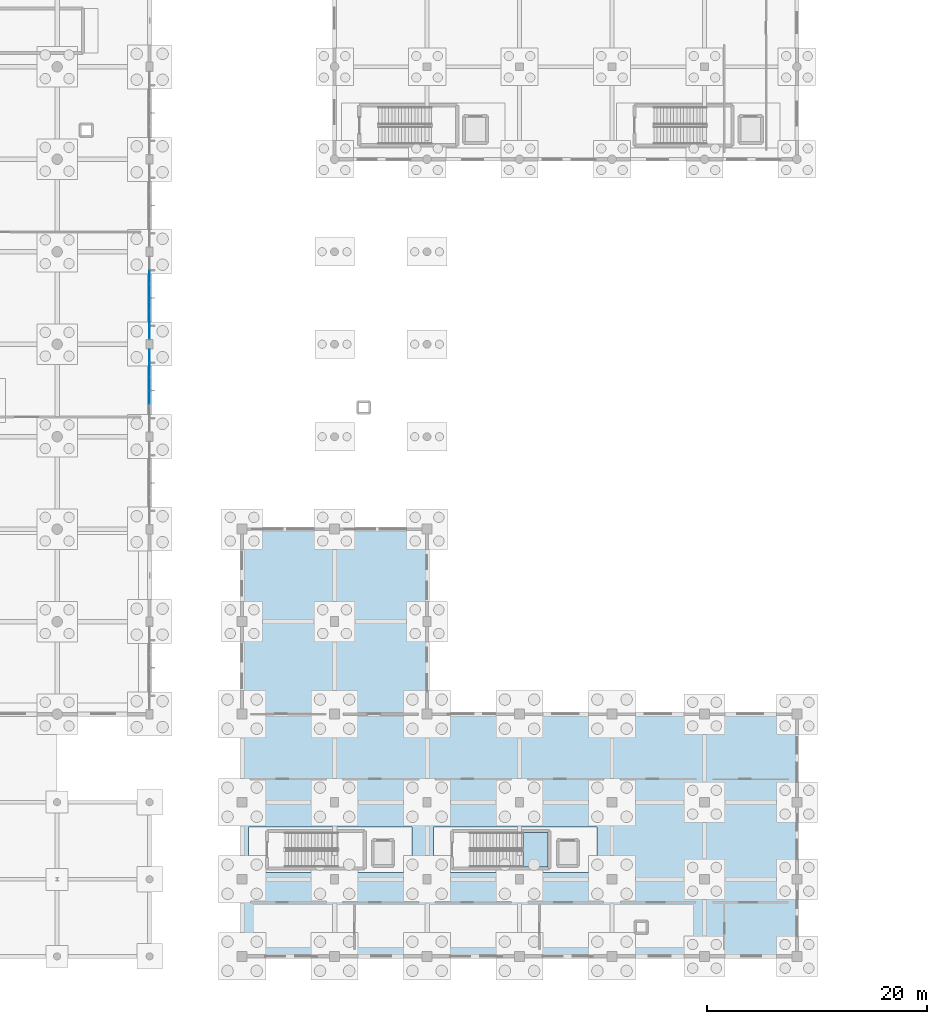
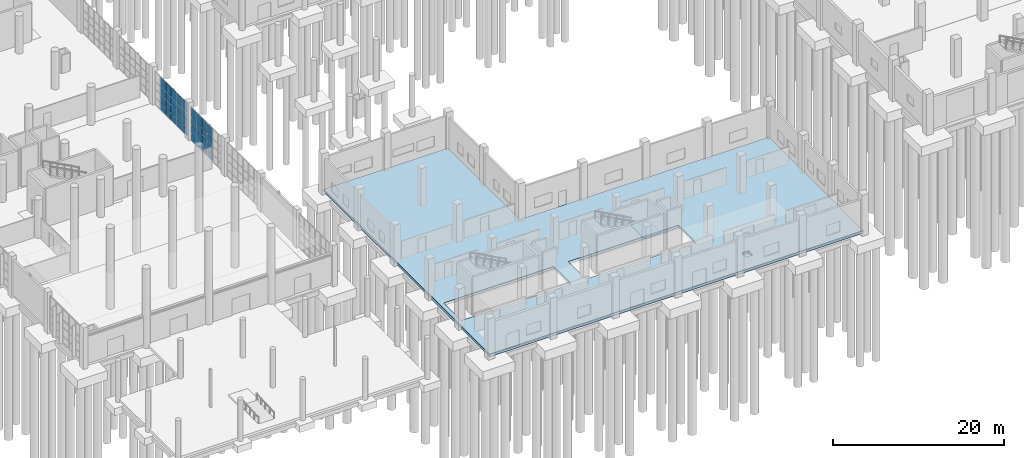
# One storey, part 40 of 83: 36 plates, 2 slabs, 3 elements without a shape of their own.
"""IFC4 building model written with IfcOpenShell, lengths in metres."""

from ifc_helpers import new_model, si_unit, direction, frame, origin, origin_2d, place, context, subcontext, project, spatial, polyline, rectangle, outline, extrude, material, layer, layer_set, type_object, element, aggregate, save


model = new_model("IFC4")

# Units and contexts
model_context = context("Model", 3, precision=1e-05, world=origin(), true_north=direction((0.0, 1.0)))
body_context = subcontext(model_context, "Body", "Model", "MODEL_VIEW")
ifc_project = project(units=[si_unit("LENGTHUNIT", "METRE"), si_unit("AREAUNIT", "SQUARE_METRE"), si_unit("VOLUMEUNIT", "CUBIC_METRE"), si_unit("PLANEANGLEUNIT", "RADIAN"), si_unit("MASSUNIT", "GRAM", prefix="KILO"), si_unit("THERMODYNAMICTEMPERATUREUNIT", "KELVIN"), si_unit("POWERUNIT", "WATT")], contexts=[model_context])

# Site, building, storey
site_placement = place(None, origin())
site = spatial("IfcSite", under=ifc_project, at=site_placement, CompositionType="ELEMENT")
building_placement = place(site_placement, origin())
building = spatial("IfcBuilding", under=site, at=building_placement, Name="Mavoryth Pier Ferry Terminal", CompositionType="ELEMENT")
storey_placement = place(building_placement, origin())
storey = spatial("IfcBuildingStorey", under=building, at=storey_placement, Name="L00", CompositionType="ELEMENT", Elevation=0.0)

# Curtain wall, plates
ifc_material_1 = material(Name="Anodised Aluminium and Solar-Control Low-E Glass", Category="aluminium")
ifc_layer_1 = layer(ifc_material_1, 0.199951171875, Name="Anodised Aluminium and Solar-Control Low-E Glass", Category="aluminium")
ifc_layer_set_1 = layer_set([ifc_layer_1], Name="Anodised Aluminium and Solar-Control Low-E Glass - CW-Concourse-Mod1200")
curtain_wall_type = type_object("IfcCurtainWallType", Name="CW-Concourse-Mod1200", PredefinedType="USERDEFINED", material=ifc_layer_set_1)
curtain_wall_1_placement = place(storey_placement, origin())
curtain_wall_1 = element("IfcCurtainWall", 1, at=curtain_wall_1_placement, inside=storey, type_object=curtain_wall_type, Name="Curtain Wall CW-0022-006", ObjectType="UNITISED CURTAIN WALL", PredefinedType="USERDEFINED")
ifc_material_2 = material(Name="Solar-Control Low-E Laminated Double Glazing", Category="glass")
ifc_layer_2 = layer(ifc_material_2, 0.02392578125, Name="Solar-Control Low-E Laminated Double Glazing", Category="glass")
ifc_layer_set_2 = layer_set([ifc_layer_2], Name="Solar-Control Low-E Laminated Double Glazing - Panel-LowE-DGU-24")
plate_type = type_object("IfcPlateType", Name="Panel-LowE-DGU-24", PredefinedType="CURTAIN_PANEL", material=ifc_layer_set_2)
plate_1_placement = place(storey_placement, frame((33.60009765625, 50.770751953125, 0.06005859375), z_axis=(0.0, 0.0, 1.0), x_axis=(0.0, 1.0, 0.0)))
plate_1 = element("IfcPlate", 2, at=plate_1_placement, type_object=plate_type, Name="CW02 panel 3.1", PredefinedType="CURTAIN_PANEL", context=body_context, shape_type="SweptSolid", body=[
    extrude(rectangle(XDim=1.1982421875, YDim=0.02392578125, at=origin_2d()), origin(), (0.0, 0.0, 1.0), 0.9599609375),
])
plate_2_placement = place(storey_placement, frame((33.60009765625, 50.770751953125, 1.080078125), z_axis=(0.0, 0.0, 1.0), x_axis=(0.0, 1.0, 0.0)))
plate_2 = element("IfcPlate", 3, at=plate_2_placement, type_object=plate_type, Name="CW02 panel 3.2", PredefinedType="CURTAIN_PANEL", context=body_context, shape_type="SweptSolid", body=[
    extrude(rectangle(XDim=1.1982421875, YDim=0.02392578125, at=origin_2d()), origin(), (0.0, 0.0, 1.0), 1.139892578125),
])
plate_3_placement = place(storey_placement, frame((33.60009765625, 50.770751953125, 2.27978515625), z_axis=(0.0, 0.0, 1.0), x_axis=(0.0, 1.0, 0.0)))
plate_3 = element("IfcPlate", 4, at=plate_3_placement, type_object=plate_type, Name="CW02 panel 3.3", PredefinedType="CURTAIN_PANEL", context=body_context, shape_type="SweptSolid", body=[
    extrude(rectangle(XDim=1.1982421875, YDim=0.02392578125, at=origin_2d()), origin(), (0.0, 0.0, 1.0), 0.989990234375),
])
plate_4_placement = place(storey_placement, frame((33.60009765625, 50.770751953125, 3.330078125), z_axis=(0.0, 0.0, 1.0), x_axis=(0.0, 1.0, 0.0)))
plate_4 = element("IfcPlate", 5, at=plate_4_placement, type_object=plate_type, Name="CW02 panel 3.4", PredefinedType="CURTAIN_PANEL", context=body_context, shape_type="SweptSolid", body=[
    extrude(rectangle(XDim=1.1982421875, YDim=0.02392578125, at=origin_2d()), origin(), (0.0, 0.0, 1.0), 1.405029296875),
])
plate_5_placement = place(storey_placement, frame((33.60009765625, 52.029052734375, 0.06005859375), z_axis=(0.0, 0.0, 1.0), x_axis=(0.0, 1.0, 0.0)))
plate_5 = element("IfcPlate", 6, at=plate_5_placement, type_object=plate_type, Name="CW02 panel 4.1", PredefinedType="CURTAIN_PANEL", context=body_context, shape_type="SweptSolid", body=[
    extrude(rectangle(XDim=1.1982421875, YDim=0.02392578125, at=origin_2d()), origin(), (0.0, 0.0, 1.0), 0.9599609375),
])
plate_6_placement = place(storey_placement, frame((33.60009765625, 52.029052734375, 1.080078125), z_axis=(0.0, 0.0, 1.0), x_axis=(0.0, 1.0, 0.0)))
plate_6 = element("IfcPlate", 7, at=plate_6_placement, type_object=plate_type, Name="CW02 panel 4.2", PredefinedType="CURTAIN_PANEL", context=body_context, shape_type="SweptSolid", body=[
    extrude(rectangle(XDim=1.1982421875, YDim=0.02392578125, at=origin_2d()), origin(), (0.0, 0.0, 1.0), 1.139892578125),
])
plate_7_placement = place(storey_placement, frame((33.60009765625, 52.029052734375, 2.27978515625), z_axis=(0.0, 0.0, 1.0), x_axis=(0.0, 1.0, 0.0)))
plate_7 = element("IfcPlate", 8, at=plate_7_placement, type_object=plate_type, Name="CW02 panel 4.3", PredefinedType="CURTAIN_PANEL", context=body_context, shape_type="SweptSolid", body=[
    extrude(rectangle(XDim=1.1982421875, YDim=0.02392578125, at=origin_2d()), origin(), (0.0, 0.0, 1.0), 0.989990234375),
])
plate_8_placement = place(storey_placement, frame((33.60009765625, 52.029052734375, 3.330078125), z_axis=(0.0, 0.0, 1.0), x_axis=(0.0, 1.0, 0.0)))
plate_8 = element("IfcPlate", 9, at=plate_8_placement, type_object=plate_type, Name="CW02 panel 4.4", PredefinedType="CURTAIN_PANEL", context=body_context, shape_type="SweptSolid", body=[
    extrude(rectangle(XDim=1.1982421875, YDim=0.02392578125, at=origin_2d()), origin(), (0.0, 0.0, 1.0), 1.405029296875),
])
plate_9_placement = place(storey_placement, frame((33.60009765625, 53.28759765625, 0.06005859375), z_axis=(0.0, 0.0, 1.0), x_axis=(0.0, 1.0, 0.0)))
plate_9 = element("IfcPlate", 10, at=plate_9_placement, type_object=plate_type, Name="CW02 panel 5.1", PredefinedType="CURTAIN_PANEL", context=body_context, shape_type="SweptSolid", body=[
    extrude(rectangle(XDim=1.1982421875, YDim=0.02392578125, at=origin_2d()), origin(), (0.0, 0.0, 1.0), 0.9599609375),
])
plate_10_placement = place(storey_placement, frame((33.60009765625, 53.28759765625, 1.080078125), z_axis=(0.0, 0.0, 1.0), x_axis=(0.0, 1.0, 0.0)))
plate_10 = element("IfcPlate", 11, at=plate_10_placement, type_object=plate_type, Name="CW02 panel 5.2", PredefinedType="CURTAIN_PANEL", context=body_context, shape_type="SweptSolid", body=[
    extrude(rectangle(XDim=1.1982421875, YDim=0.02392578125, at=origin_2d()), origin(), (0.0, 0.0, 1.0), 1.139892578125),
])
plate_11_placement = place(storey_placement, frame((33.60009765625, 53.28759765625, 2.27978515625), z_axis=(0.0, 0.0, 1.0), x_axis=(0.0, 1.0, 0.0)))
plate_11 = element("IfcPlate", 12, at=plate_11_placement, type_object=plate_type, Name="CW02 panel 5.3", PredefinedType="CURTAIN_PANEL", context=body_context, shape_type="SweptSolid", body=[
    extrude(rectangle(XDim=1.1982421875, YDim=0.02392578125, at=origin_2d()), origin(), (0.0, 0.0, 1.0), 0.989990234375),
])
plate_12_placement = place(storey_placement, frame((33.60009765625, 53.28759765625, 3.330078125), z_axis=(0.0, 0.0, 1.0), x_axis=(0.0, 1.0, 0.0)))
plate_12 = element("IfcPlate", 13, at=plate_12_placement, type_object=plate_type, Name="CW02 panel 5.4", PredefinedType="CURTAIN_PANEL", context=body_context, shape_type="SweptSolid", body=[
    extrude(rectangle(XDim=1.1982421875, YDim=0.02392578125, at=origin_2d()), origin(), (0.0, 0.0, 1.0), 1.405029296875),
])
plate_13_placement = place(storey_placement, frame((33.60009765625, 54.53076171875, 0.06005859375), z_axis=(0.0, 0.0, 1.0), x_axis=(0.0, 1.0, 0.0)))
plate_13 = element("IfcPlate", 14, at=plate_13_placement, type_object=plate_type, Name="CW02 panel 6.1", PredefinedType="CURTAIN_PANEL", context=body_context, shape_type="SweptSolid", body=[
    extrude(rectangle(XDim=1.168212890625, YDim=0.02392578125, at=origin_2d()), origin(), (0.0, 0.0, 1.0), 0.9599609375),
])
plate_14_placement = place(storey_placement, frame((33.60009765625, 54.53076171875, 1.080078125), z_axis=(0.0, 0.0, 1.0), x_axis=(0.0, 1.0, 0.0)))
plate_14 = element("IfcPlate", 15, at=plate_14_placement, type_object=plate_type, Name="CW02 panel 6.2", PredefinedType="CURTAIN_PANEL", context=body_context, shape_type="SweptSolid", body=[
    extrude(rectangle(XDim=1.168212890625, YDim=0.02392578125, at=origin_2d()), origin(), (0.0, 0.0, 1.0), 1.139892578125),
])
plate_15_placement = place(storey_placement, frame((33.60009765625, 54.53076171875, 2.27978515625), z_axis=(0.0, 0.0, 1.0), x_axis=(0.0, 1.0, 0.0)))
plate_15 = element("IfcPlate", 16, at=plate_15_placement, type_object=plate_type, Name="CW02 panel 6.3", PredefinedType="CURTAIN_PANEL", context=body_context, shape_type="SweptSolid", body=[
    extrude(rectangle(XDim=1.168212890625, YDim=0.02392578125, at=origin_2d()), origin(), (0.0, 0.0, 1.0), 0.989990234375),
])
plate_16_placement = place(storey_placement, frame((33.60009765625, 54.53076171875, 3.330078125), z_axis=(0.0, 0.0, 1.0), x_axis=(0.0, 1.0, 0.0)))
plate_16 = element("IfcPlate", 17, at=plate_16_placement, type_object=plate_type, Name="CW02 panel 6.4", PredefinedType="CURTAIN_PANEL", context=body_context, shape_type="SweptSolid", body=[
    extrude(rectangle(XDim=1.168212890625, YDim=0.02392578125, at=origin_2d()), origin(), (0.0, 0.0, 1.0), 1.405029296875),
])
aggregate(curtain_wall_1, [plate_1, plate_2, plate_3, plate_4, plate_5, plate_6, plate_7, plate_8, plate_9, plate_10, plate_11, plate_12, plate_13, plate_14, plate_15, plate_16])

curtain_wall_2_placement = place(storey_placement, origin())
curtain_wall_2 = element("IfcCurtainWall", 18, at=curtain_wall_2_placement, inside=storey, type_object=curtain_wall_type, Name="Curtain Wall CW-0022-010", ObjectType="UNITISED CURTAIN WALL", PredefinedType="USERDEFINED")
plate_17_placement = place(storey_placement, frame((33.60009765625, 56.669189453125, 0.06005859375), z_axis=(0.0, 0.0, 1.0), x_axis=(0.0, 1.0, 0.0)))
plate_17 = element("IfcPlate", 19, at=plate_17_placement, type_object=plate_type, Name="CW02 panel 1.1", PredefinedType="CURTAIN_PANEL", context=body_context, shape_type="SweptSolid", body=[
    extrude(rectangle(XDim=1.168212890625, YDim=0.02392578125, at=origin_2d()), origin(), (0.0, 0.0, 1.0), 0.9599609375),
])
plate_18_placement = place(storey_placement, frame((33.60009765625, 56.669189453125, 1.080078125), z_axis=(0.0, 0.0, 1.0), x_axis=(0.0, 1.0, 0.0)))
plate_18 = element("IfcPlate", 20, at=plate_18_placement, type_object=plate_type, Name="CW02 panel 1.2", PredefinedType="CURTAIN_PANEL", context=body_context, shape_type="SweptSolid", body=[
    extrude(rectangle(XDim=1.168212890625, YDim=0.02392578125, at=origin_2d()), origin(), (0.0, 0.0, 1.0), 1.139892578125),
])
plate_19_placement = place(storey_placement, frame((33.60009765625, 56.669189453125, 2.27978515625), z_axis=(0.0, 0.0, 1.0), x_axis=(0.0, 1.0, 0.0)))
plate_19 = element("IfcPlate", 21, at=plate_19_placement, type_object=plate_type, Name="CW02 panel 1.3", PredefinedType="CURTAIN_PANEL", context=body_context, shape_type="SweptSolid", body=[
    extrude(rectangle(XDim=1.168212890625, YDim=0.02392578125, at=origin_2d()), origin(), (0.0, 0.0, 1.0), 0.989990234375),
])
plate_20_placement = place(storey_placement, frame((33.60009765625, 56.669189453125, 3.330078125), z_axis=(0.0, 0.0, 1.0), x_axis=(0.0, 1.0, 0.0)))
plate_20 = element("IfcPlate", 22, at=plate_20_placement, type_object=plate_type, Name="CW02 panel 1.4", PredefinedType="CURTAIN_PANEL", context=body_context, shape_type="SweptSolid", body=[
    extrude(rectangle(XDim=1.168212890625, YDim=0.02392578125, at=origin_2d()), origin(), (0.0, 0.0, 1.0), 1.405029296875),
])
plate_21_placement = place(storey_placement, frame((33.60009765625, 57.91259765625, 0.06005859375), z_axis=(0.0, 0.0, 1.0), x_axis=(0.0, 1.0, 0.0)))
plate_21 = element("IfcPlate", 23, at=plate_21_placement, type_object=plate_type, Name="CW02 panel 2.1", PredefinedType="CURTAIN_PANEL", context=body_context, shape_type="SweptSolid", body=[
    extrude(rectangle(XDim=1.1982421875, YDim=0.02392578125, at=origin_2d()), origin(), (0.0, 0.0, 1.0), 0.9599609375),
])
plate_22_placement = place(storey_placement, frame((33.60009765625, 57.91259765625, 1.080078125), z_axis=(0.0, 0.0, 1.0), x_axis=(0.0, 1.0, 0.0)))
plate_22 = element("IfcPlate", 24, at=plate_22_placement, type_object=plate_type, Name="CW02 panel 2.2", PredefinedType="CURTAIN_PANEL", context=body_context, shape_type="SweptSolid", body=[
    extrude(rectangle(XDim=1.1982421875, YDim=0.02392578125, at=origin_2d()), origin(), (0.0, 0.0, 1.0), 1.139892578125),
])
plate_23_placement = place(storey_placement, frame((33.60009765625, 57.91259765625, 2.27978515625), z_axis=(0.0, 0.0, 1.0), x_axis=(0.0, 1.0, 0.0)))
plate_23 = element("IfcPlate", 25, at=plate_23_placement, type_object=plate_type, Name="CW02 panel 2.3", PredefinedType="CURTAIN_PANEL", context=body_context, shape_type="SweptSolid", body=[
    extrude(rectangle(XDim=1.1982421875, YDim=0.02392578125, at=origin_2d()), origin(), (0.0, 0.0, 1.0), 0.989990234375),
])
plate_24_placement = place(storey_placement, frame((33.60009765625, 57.91259765625, 3.330078125), z_axis=(0.0, 0.0, 1.0), x_axis=(0.0, 1.0, 0.0)))
plate_24 = element("IfcPlate", 26, at=plate_24_placement, type_object=plate_type, Name="CW02 panel 2.4", PredefinedType="CURTAIN_PANEL", context=body_context, shape_type="SweptSolid", body=[
    extrude(rectangle(XDim=1.1982421875, YDim=0.02392578125, at=origin_2d()), origin(), (0.0, 0.0, 1.0), 1.405029296875),
])
plate_25_placement = place(storey_placement, frame((33.60009765625, 59.1708984375, 0.06005859375), z_axis=(0.0, 0.0, 1.0), x_axis=(0.0, 1.0, 0.0)))
plate_25 = element("IfcPlate", 27, at=plate_25_placement, type_object=plate_type, Name="CW02 panel 3.1", PredefinedType="CURTAIN_PANEL", context=body_context, shape_type="SweptSolid", body=[
    extrude(rectangle(XDim=1.1982421875, YDim=0.02392578125, at=origin_2d()), origin(), (0.0, 0.0, 1.0), 0.9599609375),
])
plate_26_placement = place(storey_placement, frame((33.60009765625, 59.1708984375, 1.080078125), z_axis=(0.0, 0.0, 1.0), x_axis=(0.0, 1.0, 0.0)))
plate_26 = element("IfcPlate", 28, at=plate_26_placement, type_object=plate_type, Name="CW02 panel 3.2", PredefinedType="CURTAIN_PANEL", context=body_context, shape_type="SweptSolid", body=[
    extrude(rectangle(XDim=1.1982421875, YDim=0.02392578125, at=origin_2d()), origin(), (0.0, 0.0, 1.0), 1.139892578125),
])
plate_27_placement = place(storey_placement, frame((33.60009765625, 59.1708984375, 2.27978515625), z_axis=(0.0, 0.0, 1.0), x_axis=(0.0, 1.0, 0.0)))
plate_27 = element("IfcPlate", 29, at=plate_27_placement, type_object=plate_type, Name="CW02 panel 3.3", PredefinedType="CURTAIN_PANEL", context=body_context, shape_type="SweptSolid", body=[
    extrude(rectangle(XDim=1.1982421875, YDim=0.02392578125, at=origin_2d()), origin(), (0.0, 0.0, 1.0), 0.989990234375),
])
plate_28_placement = place(storey_placement, frame((33.60009765625, 59.1708984375, 3.330078125), z_axis=(0.0, 0.0, 1.0), x_axis=(0.0, 1.0, 0.0)))
plate_28 = element("IfcPlate", 30, at=plate_28_placement, type_object=plate_type, Name="CW02 panel 3.4", PredefinedType="CURTAIN_PANEL", context=body_context, shape_type="SweptSolid", body=[
    extrude(rectangle(XDim=1.1982421875, YDim=0.02392578125, at=origin_2d()), origin(), (0.0, 0.0, 1.0), 1.405029296875),
])
plate_29_placement = place(storey_placement, frame((33.60009765625, 60.42919921875, 0.06005859375), z_axis=(0.0, 0.0, 1.0), x_axis=(0.0, 1.0, 0.0)))
plate_29 = element("IfcPlate", 31, at=plate_29_placement, type_object=plate_type, Name="CW02 panel 4.1", PredefinedType="CURTAIN_PANEL", context=body_context, shape_type="SweptSolid", body=[
    extrude(rectangle(XDim=1.1982421875, YDim=0.02392578125, at=origin_2d()), origin(), (0.0, 0.0, 1.0), 0.9599609375),
])
plate_30_placement = place(storey_placement, frame((33.60009765625, 60.42919921875, 1.080078125), z_axis=(0.0, 0.0, 1.0), x_axis=(0.0, 1.0, 0.0)))
plate_30 = element("IfcPlate", 32, at=plate_30_placement, type_object=plate_type, Name="CW02 panel 4.2", PredefinedType="CURTAIN_PANEL", context=body_context, shape_type="SweptSolid", body=[
    extrude(rectangle(XDim=1.1982421875, YDim=0.02392578125, at=origin_2d()), origin(), (0.0, 0.0, 1.0), 1.139892578125),
])
plate_31_placement = place(storey_placement, frame((33.60009765625, 60.42919921875, 2.27978515625), z_axis=(0.0, 0.0, 1.0), x_axis=(0.0, 1.0, 0.0)))
plate_31 = element("IfcPlate", 33, at=plate_31_placement, type_object=plate_type, Name="CW02 panel 4.3", PredefinedType="CURTAIN_PANEL", context=body_context, shape_type="SweptSolid", body=[
    extrude(rectangle(XDim=1.1982421875, YDim=0.02392578125, at=origin_2d()), origin(), (0.0, 0.0, 1.0), 0.989990234375),
])
plate_32_placement = place(storey_placement, frame((33.60009765625, 60.42919921875, 3.330078125), z_axis=(0.0, 0.0, 1.0), x_axis=(0.0, 1.0, 0.0)))
plate_32 = element("IfcPlate", 34, at=plate_32_placement, type_object=plate_type, Name="CW02 panel 4.4", PredefinedType="CURTAIN_PANEL", context=body_context, shape_type="SweptSolid", body=[
    extrude(rectangle(XDim=1.1982421875, YDim=0.02392578125, at=origin_2d()), origin(), (0.0, 0.0, 1.0), 1.405029296875),
])
plate_33_placement = place(storey_placement, frame((33.60009765625, 61.6875, 0.06005859375), z_axis=(0.0, 0.0, 1.0), x_axis=(0.0, 1.0, 0.0)))
plate_33 = element("IfcPlate", 35, at=plate_33_placement, type_object=plate_type, Name="CW02 panel 5.1", PredefinedType="CURTAIN_PANEL", context=body_context, shape_type="SweptSolid", body=[
    extrude(rectangle(XDim=1.1982421875, YDim=0.02392578125, at=origin_2d()), origin(), (0.0, 0.0, 1.0), 0.9599609375),
])
plate_34_placement = place(storey_placement, frame((33.60009765625, 61.6875, 1.080078125), z_axis=(0.0, 0.0, 1.0), x_axis=(0.0, 1.0, 0.0)))
plate_34 = element("IfcPlate", 36, at=plate_34_placement, type_object=plate_type, Name="CW02 panel 5.2", PredefinedType="CURTAIN_PANEL", context=body_context, shape_type="SweptSolid", body=[
    extrude(rectangle(XDim=1.1982421875, YDim=0.02392578125, at=origin_2d()), origin(), (0.0, 0.0, 1.0), 1.139892578125),
])
plate_35_placement = place(storey_placement, frame((33.60009765625, 61.6875, 2.27978515625), z_axis=(0.0, 0.0, 1.0), x_axis=(0.0, 1.0, 0.0)))
plate_35 = element("IfcPlate", 37, at=plate_35_placement, type_object=plate_type, Name="CW02 panel 5.3", PredefinedType="CURTAIN_PANEL", context=body_context, shape_type="SweptSolid", body=[
    extrude(rectangle(XDim=1.1982421875, YDim=0.02392578125, at=origin_2d()), origin(), (0.0, 0.0, 1.0), 0.989990234375),
])
plate_36_placement = place(storey_placement, frame((33.60009765625, 61.6875, 3.330078125), z_axis=(0.0, 0.0, 1.0), x_axis=(0.0, 1.0, 0.0)))
plate_36 = element("IfcPlate", 38, at=plate_36_placement, type_object=plate_type, Name="CW02 panel 5.4", PredefinedType="CURTAIN_PANEL", context=body_context, shape_type="SweptSolid", body=[
    extrude(rectangle(XDim=1.1982421875, YDim=0.02392578125, at=origin_2d()), origin(), (0.0, 0.0, 1.0), 1.405029296875),
])
aggregate(curtain_wall_2, [plate_17, plate_18, plate_19, plate_20, plate_21, plate_22, plate_23, plate_24, plate_25, plate_26, plate_27, plate_28, plate_29, plate_30, plate_31, plate_32, plate_33, plate_34, plate_35, plate_36])

# Slab
ifc_material_3 = material(Name="Concrete C35/45", Category="concrete")
ifc_layer_3 = layer(ifc_material_3, 0.3798828125, Name="Concrete C35/45", Category="concrete")
ifc_layer_set_3 = layer_set([ifc_layer_3], Name="Concrete C35/45 - Slab-Base-Operations-380")
slab_type_1 = type_object("IfcSlabType", Name="Slab-Base-Operations-380", PredefinedType="BASESLAB", material=ifc_layer_set_3)
slab_1_placement = place(storey_placement, frame((0.0, 0.0, -0.3798828125)))
element("IfcSlab", 39, at=slab_1_placement, inside=storey, type_object=slab_type_1, Name="Slab SLB-V5-L00", PredefinedType="BASESLAB", context=body_context, shape_type="SweptSolid", body=[
    extrude(outline(polyline([(42.0, 0.0), (92.39990234375, 0.0), (92.39990234375, 22.0), (58.800048828125, 22.0), (58.800048828125, 38.800048828125), (42.0, 38.800048828125), (42.0, 0.0)]), holes=[polyline([(77.800048828125, 2.199951171875), (78.699951171875, 2.199951171875), (78.699951171875, 3.10009765625), (77.800048828125, 3.10009765625), (77.800048828125, 2.199951171875)]), polyline([(42.580078125, 7.625), (57.419921875, 7.625), (57.419921875, 11.72509765625), (42.580078125, 11.72509765625), (42.580078125, 7.625)]), polyline([(59.3798828125, 7.625), (74.219970703125, 7.625), (74.219970703125, 11.72509765625), (59.3798828125, 11.72509765625), (59.3798828125, 7.625)])]), origin(), (0.0, 0.0, 1.0), 0.3798828125),
])

# Stair, slab
stair_type = type_object("IfcStairType", Name="Stair-Core-W1500", PredefinedType="TWO_STRAIGHT_RUN_STAIR", material=ifc_material_3)
stair_placement = place(storey_placement, origin())
stair = element("IfcStair", 40, at=stair_placement, inside=storey, type_object=stair_type, Name="L00 Core C5B Stair", PredefinedType="TWO_STRAIGHT_RUN_STAIR")
ifc_layer_4 = layer(ifc_material_3, 0.199951171875, Name="Concrete C35/45", Category="concrete")
ifc_layer_set_4 = layer_set([ifc_layer_4], Name="Concrete C35/45 - Slab-Landing-RC-200")
slab_type_2 = type_object("IfcSlabType", Name="Slab-Landing-RC-200", PredefinedType="LANDING", material=ifc_layer_set_4)
slab_2_placement = place(storey_placement, frame((0.0, 0.0, 2.52001953125)))
slab_2 = element("IfcSlab", 41, at=slab_2_placement, type_object=slab_type_2, Name="ST12 landing 1", PredefinedType="LANDING", context=body_context, shape_type="SweptSolid", body=[
    extrude(outline(polyline([(67.5, 8.10009765625), (69.800048828125, 8.10009765625), (69.800048828125, 11.25), (67.5, 11.25), (67.5, 8.10009765625)])), origin(), (0.0, 0.0, 1.0), 0.199951171875),
])
aggregate(stair, [slab_2])

save(model, "model.ifc")
